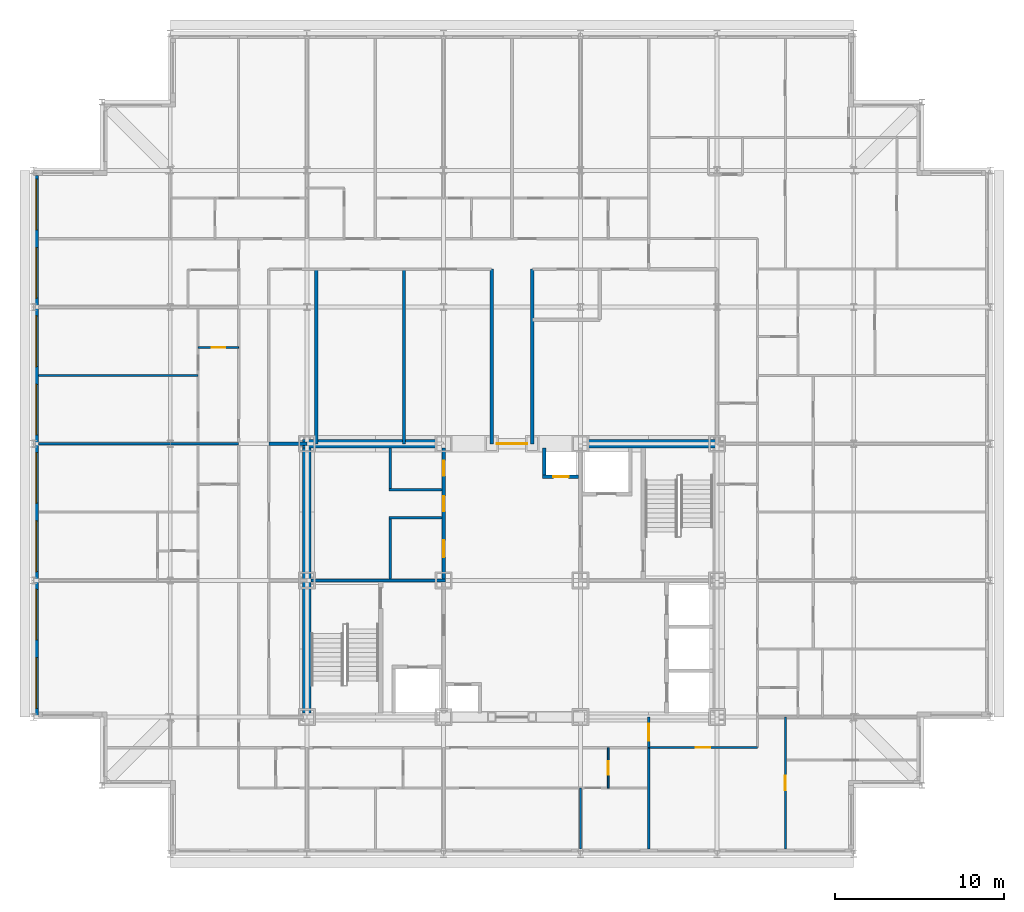
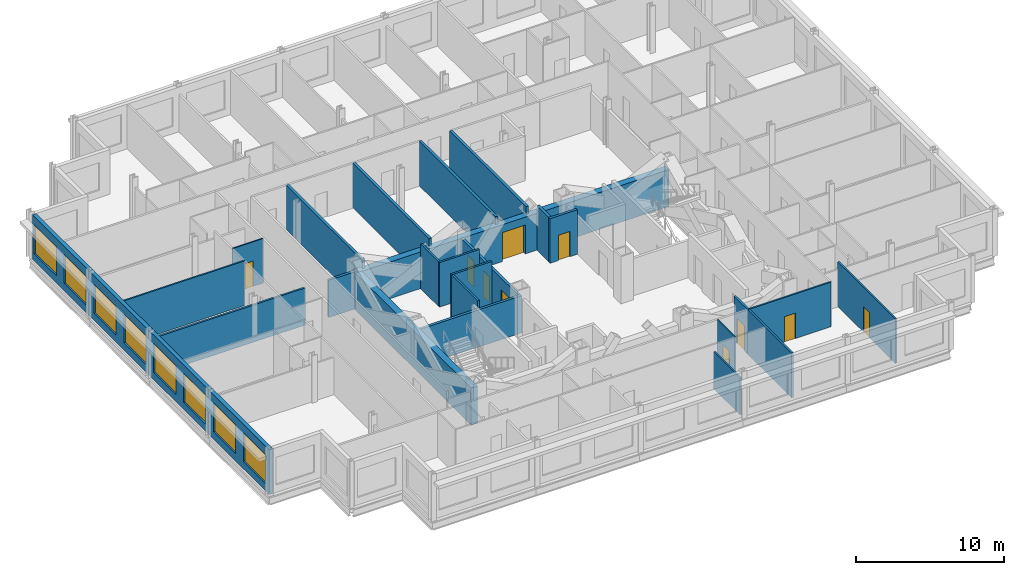
# One storey, part 9 of 15: 25 walls, 10 doors, 8 windows, 18 openings.
"""IFC4 building model written with IfcOpenShell, lengths in metres."""

from ifc_helpers import new_model, si_unit, direction, frame, frame_2d, origin, place, context, subcontext, project, spatial, rectangle, extrude, material, layer, layer_set, type_object, element, fill, save


model = new_model("IFC4")

# Units and contexts
model_context = context("Model", 3, precision=1e-05, world=origin(), true_north=direction((0.0, 1.0)))
body_context = subcontext(model_context, "Body", "Model", "MODEL_VIEW")
ifc_project = project(units=[si_unit("LENGTHUNIT", "METRE"), si_unit("AREAUNIT", "SQUARE_METRE"), si_unit("VOLUMEUNIT", "CUBIC_METRE"), si_unit("PLANEANGLEUNIT", "RADIAN"), si_unit("MASSUNIT", "GRAM", prefix="KILO")], contexts=[model_context])

# Site, building, storey
site_placement = place(None, origin())
site = spatial("IfcSite", under=ifc_project, at=site_placement, CompositionType="ELEMENT")
building_placement = place(site_placement, origin())
building = spatial("IfcBuilding", under=site, at=building_placement, Name="Kopane Lantern Tower", CompositionType="ELEMENT")
storey_placement = place(building_placement, frame((0.0, 0.0, 269.699951171875)))
storey = spatial("IfcBuildingStorey", under=building, at=storey_placement, Name="L69", CompositionType="ELEMENT", Elevation=269.699951171875)

# Walls
ifc_material_1 = material(Name="Gypsum board on steel studs", Category="steel")
ifc_layer_1 = layer(ifc_material_1, 0.1201171875)
ifc_layer_set_1 = layer_set([ifc_layer_1], Name="APARTMENT INTERNAL WALL 120")
wall_type_1 = type_object("IfcWallType", Name="APARTMENT INTERNAL WALL 120", PredefinedType="PARTITIONING", material=ifc_layer_set_1)
wall_1_placement = place(storey_placement, frame((32.39990234375, 20.10009765625, 0.0), z_axis=(0.0, 0.0, 1.0), x_axis=(0.0, -1.0, 0.0)))
element("IfcWall", 1, at=wall_1_placement, inside=storey, type_object=wall_type_1, Name="Apartment Internal Wall 120 L69", PredefinedType="PARTITIONING", context=body_context, shape_type="SweptSolid", body=[
    extrude(rectangle(XDim=3.60009765625, YDim=0.1201171875, at=frame_2d((1.800048828125, 0.0))), origin(), (0.0, 0.0, 1.0), 3.077880859375),
])
wall_2_placement = place(storey_placement, frame((9.75, 44.550048828125, 0.0), z_axis=(0.0, 0.0, 1.0), x_axis=(-1.0, 0.0, 0.0)))
element("IfcWall", 2, at=wall_2_placement, inside=storey, type_object=wall_type_1, Name="Apartment Internal Wall 120 L69", PredefinedType="PARTITIONING", context=body_context, shape_type="SweptSolid", body=[
    extrude(rectangle(XDim=9.449951171875, YDim=0.1201171875, at=frame_2d((4.72509765625, 0.0))), origin(), (0.0, 0.0, 1.0), 3.68994140625),
])

# Wall, opening, door
wall_3_placement = place(storey_placement, frame((36.449951171875, 22.5, 0.0), z_axis=(0.0, 0.0, 1.0), x_axis=(1.0, 0.0, 0.0)))
wall_3 = element("IfcWall", 3, at=wall_3_placement, inside=storey, type_object=wall_type_1, Name="Apartment Internal Wall 120 L69", PredefinedType="PARTITIONING", context=body_context, shape_type="SweptSolid", body=[
    extrude(rectangle(XDim=6.449951171875, YDim=0.1201171875, at=frame_2d((3.22509765625, 0.0))), origin(), (0.0, 0.0, 1.0), 3.68994140625),
])
opening_1_placement = place(wall_3_placement, frame((2.800048828125, 0.0, 0.0)))
opening_1 = element("IfcOpeningElement", 4, at=opening_1_placement, cuts=wall_3, Name="Opening L69-047", PredefinedType="OPENING", context=body_context, shape_type="SweptSolid", body=[
    extrude(rectangle(XDim=0.85009765625, YDim=2.10009765625, at=frame_2d((0.425048828125, 1.050048828125))), frame((0.0, 0.070068359375, 0.0), z_axis=(0.0, -1.0, 0.0), x_axis=(1.0, 0.0, 0.0)), (0.0, 0.0, 1.0), 0.14013671875),
])
ifc_material_2 = material(Name="Timber door set", Category="wood")
door_type_1 = type_object("IfcDoorType", Name="DOOR D4 850x2100", OperationType="SINGLE_SWING_LEFT", PredefinedType="DOOR", material=ifc_material_2)
door_1_placement = place(opening_1_placement, origin())
door_1 = element("IfcDoor", 5, at=door_1_placement, inside=storey, type_object=door_type_1, Name="Door L69-047", OperationType="SINGLE_SWING_RIGHT", OverallHeight=2.10009765625, OverallWidth=0.85009765625, PredefinedType="DOOR", context=body_context, shape_type="SweptSolid", body=[
    extrude(rectangle(XDim=0.85009765625, YDim=2.10009765625, at=frame_2d((0.425048828125, 1.050048828125))), frame((0.0, 0.02490234375, 0.0), z_axis=(0.0, -1.0, 0.0), x_axis=(1.0, 0.0, 0.0)), (0.0, 0.0, 1.0), 0.050048828125),
])
fill(opening_1, door_1)

wall_4_placement = place(storey_placement, frame((44.550048828125, 16.5, 0.0), z_axis=(0.0, 0.0, 1.0), x_axis=(0.0, 1.0, 0.0)))
wall_4 = element("IfcWall", 6, at=wall_4_placement, inside=storey, type_object=wall_type_1, Name="Apartment Internal Wall 120 L69", PredefinedType="PARTITIONING", context=body_context, shape_type="SweptSolid", body=[
    extrude(rectangle(XDim=7.800048828125, YDim=0.1201171875, at=frame_2d((3.89990234375, 0.0))), origin(), (0.0, 0.0, 1.0), 3.68994140625),
])
opening_2_placement = place(wall_4_placement, frame((3.47509765625, 0.0, 0.0)))
opening_2 = element("IfcOpeningElement", 7, at=opening_2_placement, cuts=wall_4, Name="Opening L69-048", PredefinedType="OPENING", context=body_context, shape_type="SweptSolid", body=[
    extrude(rectangle(XDim=0.85009765625, YDim=2.10009765625, at=frame_2d((0.425048828125, 1.050048828125))), frame((0.0, 0.070068359375, 0.0), z_axis=(0.0, -1.0, 0.0), x_axis=(1.0, 0.0, 0.0)), (0.0, 0.0, 1.0), 0.14013671875),
])
door_2_placement = place(opening_2_placement, origin())
door_2 = element("IfcDoor", 8, at=door_2_placement, inside=storey, type_object=door_type_1, Name="Door L69-048", OperationType="SINGLE_SWING_LEFT", OverallHeight=2.10009765625, OverallWidth=0.85009765625, PredefinedType="DOOR", context=body_context, shape_type="SweptSolid", body=[
    extrude(rectangle(XDim=0.85009765625, YDim=2.10009765625, at=frame_2d((0.425048828125, 1.050048828125))), frame((0.0, 0.02490234375, 0.0), z_axis=(0.0, -1.0, 0.0), x_axis=(1.0, 0.0, 0.0)), (0.0, 0.0, 1.0), 0.050048828125),
])
fill(opening_2, door_2)

ifc_material_3 = material(Name="Moisture-resistant board on steel studs", Category="steel")
ifc_layer_2 = layer(ifc_material_3, 0.10009765625)
ifc_layer_set_2 = layer_set([ifc_layer_2], Name="BATHROOM WALL 100")
wall_type_2 = type_object("IfcWallType", Name="BATHROOM WALL 100", PredefinedType="PARTITIONING", material=ifc_layer_set_2)
wall_5_placement = place(storey_placement, frame((34.050048828125, 22.5, 0.0), z_axis=(0.0, 0.0, 1.0), x_axis=(0.0, -1.0, 0.0)))
wall_5 = element("IfcWall", 9, at=wall_5_placement, inside=storey, type_object=wall_type_2, Name="Bathroom Wall 100 L69", PredefinedType="PARTITIONING", context=body_context, shape_type="SweptSolid", body=[
    extrude(rectangle(XDim=2.39990234375, YDim=0.10009765625, at=frame_2d((1.199951171875, 0.0))), origin(), (0.0, 0.0, 1.0), 3.68994140625),
])
opening_3_placement = place(wall_5_placement, frame((0.800048828125, 0.0, 0.0)))
opening_3 = element("IfcOpeningElement", 10, at=opening_3_placement, cuts=wall_5, Name="Opening L69-012", PredefinedType="OPENING", context=body_context, shape_type="SweptSolid", body=[
    extrude(rectangle(XDim=0.800048828125, YDim=2.10009765625, at=frame_2d((0.39990234375, 1.050048828125))), frame((0.0, 0.06005859375, 0.0), z_axis=(0.0, -1.0, 0.0), x_axis=(1.0, 0.0, 0.0)), (0.0, 0.0, 1.0), 0.1201171875),
])
ifc_material_4 = material(Name="Timber door set", Category="wood")
door_type_2 = type_object("IfcDoorType", Name="DOOR D2 800x2100", OperationType="SINGLE_SWING_LEFT", PredefinedType="DOOR", material=ifc_material_4)
door_3_placement = place(opening_3_placement, origin())
door_3 = element("IfcDoor", 11, at=door_3_placement, inside=storey, type_object=door_type_2, Name="Door L69-012", OperationType="SINGLE_SWING_LEFT", OverallHeight=2.10009765625, OverallWidth=0.800048828125, PredefinedType="DOOR", context=body_context, shape_type="SweptSolid", body=[
    extrude(rectangle(XDim=0.800048828125, YDim=2.10009765625, at=frame_2d((0.39990234375, 1.050048828125))), frame((0.0, 0.02490234375, 0.0), z_axis=(0.0, -1.0, 0.0), x_axis=(1.0, 0.0, 0.0)), (0.0, 0.0, 1.0), 0.050048828125),
])
fill(opening_3, door_3)

wall_6_placement = place(storey_placement, frame((12.14990234375, 46.199951171875, 0.0), z_axis=(0.0, 0.0, 1.0), x_axis=(-1.0, 0.0, 0.0)))
wall_6 = element("IfcWall", 12, at=wall_6_placement, inside=storey, type_object=wall_type_2, Name="Bathroom Wall 100 L69", PredefinedType="PARTITIONING", context=body_context, shape_type="SweptSolid", body=[
    extrude(rectangle(XDim=2.39990234375, YDim=0.10009765625, at=frame_2d((1.199951171875, 0.0))), origin(), (0.0, 0.0, 1.0), 3.68994140625),
])
opening_4_placement = place(wall_6_placement, frame((0.800048828125, 0.0, 0.0)))
opening_4 = element("IfcOpeningElement", 13, at=opening_4_placement, cuts=wall_6, Name="Opening L69-032", PredefinedType="OPENING", context=body_context, shape_type="SweptSolid", body=[
    extrude(rectangle(XDim=0.800048828125, YDim=2.10009765625, at=frame_2d((0.39990234375, 1.050048828125))), frame((0.0, 0.06005859375, 0.0), z_axis=(0.0, -1.0, 0.0), x_axis=(1.0, 0.0, 0.0)), (0.0, 0.0, 1.0), 0.1201171875),
])
door_4_placement = place(opening_4_placement, origin())
door_4 = element("IfcDoor", 14, at=door_4_placement, inside=storey, type_object=door_type_2, Name="Door L69-032", OperationType="SINGLE_SWING_RIGHT", OverallHeight=2.10009765625, OverallWidth=0.800048828125, PredefinedType="DOOR", context=body_context, shape_type="SweptSolid", body=[
    extrude(rectangle(XDim=0.800048828125, YDim=2.10009765625, at=frame_2d((0.39990234375, 1.050048828125))), frame((0.0, 0.02490234375, 0.0), z_axis=(0.0, -1.0, 0.0), x_axis=(1.0, 0.0, 0.0)), (0.0, 0.0, 1.0), 0.050048828125),
])
fill(opening_4, door_4)

ifc_material_5 = material(Name="Gypsum shaft wall EI 120", Category="gypsum")
ifc_layer_3 = layer(ifc_material_5, 0.5)
ifc_layer_set_3 = layer_set([ifc_layer_3], Name="CORE PERIMETER WALL 500 EI 120")
wall_type_3 = type_object("IfcWallType", Name="CORE PERIMETER WALL 500 EI 120", PredefinedType="SOLIDWALL", material=ifc_layer_set_3)
wall_7_placement = place(storey_placement, frame((15.949951171875, 40.5, 0.0), z_axis=(0.0, 0.0, 1.0), x_axis=(1.0, 0.0, 0.0)))
wall_7 = element("IfcWall", 15, at=wall_7_placement, inside=storey, type_object=wall_type_3, Name="Core shaft wall L69 PN", PredefinedType="SOLIDWALL", context=body_context, shape_type="SweptSolid", body=[
    extrude(rectangle(XDim=24.550048828125, YDim=0.5, at=frame_2d((12.27490234375, 0.0))), origin(), (0.0, 0.0, 1.0), 3.0400390625),
])
opening_5_placement = place(wall_7_placement, frame((11.5, 0.0, 0.0)))
opening_5 = element("IfcOpeningElement", 16, at=opening_5_placement, cuts=wall_7, Name="Opening 69.CE-N", PredefinedType="OPENING", context=body_context, shape_type="SweptSolid", body=[
    extrude(rectangle(XDim=1.800048828125, YDim=2.39990234375, at=frame_2d((0.89990234375, 1.199951171875))), frame((0.0, 0.260009765625, 0.0), z_axis=(0.0, -1.0, 0.0), x_axis=(1.0, 0.0, 0.0)), (0.0, 0.0, 1.0), 0.52001953125),
])
ifc_material_6 = material(Name="Steel door set", Category="steel")
door_type_3 = type_object("IfcDoorType", Name="CORE ENTRY DOOR 1800x2400 FD60S", OperationType="DOUBLE_DOOR_SINGLE_SWING", PredefinedType="DOOR", material=ifc_material_6)
door_5_placement = place(opening_5_placement, origin())
door_5 = element("IfcDoor", 17, at=door_5_placement, inside=storey, type_object=door_type_3, Name="Core entry door L69 north", OperationType="DOUBLE_DOOR_SINGLE_SWING", OverallHeight=2.39990234375, OverallWidth=1.800048828125, PredefinedType="DOOR", context=body_context, shape_type="SweptSolid", body=[
    extrude(rectangle(XDim=1.800048828125, YDim=2.39990234375, at=frame_2d((0.89990234375, 1.199951171875))), frame((0.0, 0.02490234375, 0.0), z_axis=(0.0, -1.0, 0.0), x_axis=(1.0, 0.0, 0.0)), (0.0, 0.0, 1.0), 0.050048828125),
])
fill(opening_5, door_5)

# Walls
wall_8_placement = place(storey_placement, frame((16.199951171875, 24.550048828125, 0.0), z_axis=(0.0, 0.0, 1.0), x_axis=(0.0, 1.0, 0.0)))
element("IfcWall", 18, at=wall_8_placement, inside=storey, type_object=wall_type_3, Name="Core shaft wall L69 PW", PredefinedType="SOLIDWALL", context=body_context, shape_type="SweptSolid", body=[
    extrude(rectangle(XDim=15.699951171875, YDim=0.5, at=frame_2d((7.85009765625, 0.0))), origin(), (0.0, 0.0, 1.0), 3.077880859375),
])
ifc_material_7 = material(Name="Gypsum partition EI 60", Category="gypsum")
ifc_layer_4 = layer(ifc_material_7, 0.14990234375)
ifc_layer_set_4 = layer_set([ifc_layer_4], Name="CORE ROOM PARTITION 150 EI 60")
wall_type_4 = type_object("IfcWallType", Name="CORE ROOM PARTITION 150 EI 60", PredefinedType="PARTITIONING", material=ifc_layer_set_4)
for number, where, z_axis, x_axis, name in (
    (19, (21.050048828125, 36.125, 0.0), (0.0, 0.0, 1.0), (1.0, 0.0, 0.0), "Core room partition L69 WW1"),
    (20, (21.050048828125, 37.77490234375, 0.0), (0.0, 0.0, 1.0), (1.0, 0.0, 0.0), "Core room partition L69 WW2"),
):
    element("IfcWall", number, at=place(storey_placement, frame(where, z_axis=z_axis, x_axis=x_axis)), inside=storey, type_object=wall_type_4, Name=name, PredefinedType="PARTITIONING", context=body_context, shape_type="SweptSolid", body=[
        extrude(rectangle(XDim=3.14990234375, YDim=0.14990234375, at=frame_2d((1.574951171875, 0.0))), origin(), (0.0, 0.0, 1.0), 3.68994140625),
    ])
wall_9_placement = place(storey_placement, frame((21.125, 32.5, 0.0), z_axis=(0.0, 0.0, 1.0), x_axis=(0.0, 1.0, 0.0)))
element("IfcWall", 21, at=wall_9_placement, inside=storey, type_object=wall_type_4, Name="Core room partition L69 WWB0", PredefinedType="PARTITIONING", context=body_context, shape_type="SweptSolid", body=[
    extrude(rectangle(XDim=3.550048828125, YDim=0.14990234375, at=frame_2d((1.77490234375, 0.0))), origin(), (0.0, 0.0, 1.0), 3.68994140625),
])
wall_10_placement = place(storey_placement, frame((21.125, 37.85009765625, 0.0), z_axis=(0.0, 0.0, 1.0), x_axis=(0.0, 1.0, 0.0)))
element("IfcWall", 22, at=wall_10_placement, inside=storey, type_object=wall_type_4, Name="Core room partition L69 WWB1", PredefinedType="PARTITIONING", context=body_context, shape_type="SweptSolid", body=[
    extrude(rectangle(XDim=2.39990234375, YDim=0.14990234375, at=frame_2d((1.199951171875, 0.0))), origin(), (0.0, 0.0, 1.0), 3.68994140625),
])

# Wall, openings, doors
ifc_material_8 = material(Name="Gypsum partition EI 60", Category="gypsum")
ifc_layer_5 = layer(ifc_material_8, 0.199951171875)
ifc_layer_set_5 = layer_set([ifc_layer_5], Name="CORE ROOM WALL 200 EI 60")
wall_type_5 = type_object("IfcWallType", Name="CORE ROOM WALL 200 EI 60", PredefinedType="PARTITIONING", material=ifc_layer_set_5)
wall_11_placement = place(storey_placement, frame((24.300048828125, 32.5, 0.0), z_axis=(0.0, 0.0, 1.0), x_axis=(0.0, 1.0, 0.0)))
wall_11 = element("IfcWall", 23, at=wall_11_placement, inside=storey, type_object=wall_type_5, Name="Core room wall L69 XW", PredefinedType="PARTITIONING", context=body_context, shape_type="SweptSolid", body=[
    extrude(rectangle(XDim=7.75, YDim=0.199951171875, at=frame_2d((3.875, 0.0))), origin(), (0.0, 0.0, 1.0), 3.077880859375),
])
opening_6_placement = place(wall_11_placement, frame((1.27490234375, 0.0, 0.0)))
opening_6 = element("IfcOpeningElement", 24, at=opening_6_placement, cuts=wall_11, Name="Opening 69.C30", PredefinedType="OPENING", context=body_context, shape_type="SweptSolid", body=[
    extrude(rectangle(XDim=1.0, YDim=2.10009765625, at=frame_2d((0.5, 1.050048828125))), frame((0.0, 0.10986328125, 0.0), z_axis=(0.0, -1.0, 0.0), x_axis=(1.0, 0.0, 0.0)), (0.0, 0.0, 1.0), 0.219970703125),
])
opening_7_placement = place(wall_11_placement, frame((4.0, 0.0, 0.0)))
opening_7 = element("IfcOpeningElement", 25, at=opening_7_placement, cuts=wall_11, Name="Opening 69.C31", PredefinedType="OPENING", context=body_context, shape_type="SweptSolid", body=[
    extrude(rectangle(XDim=0.89990234375, YDim=2.10009765625, at=frame_2d((0.449951171875, 1.050048828125))), frame((0.0, 0.10986328125, 0.0), z_axis=(0.0, -1.0, 0.0), x_axis=(1.0, 0.0, 0.0)), (0.0, 0.0, 1.0), 0.219970703125),
])
opening_8_placement = place(wall_11_placement, frame((6.10009765625, 0.0, 0.0)))
opening_8 = element("IfcOpeningElement", 26, at=opening_8_placement, cuts=wall_11, Name="Opening 69.C32", PredefinedType="OPENING", context=body_context, shape_type="SweptSolid", body=[
    extrude(rectangle(XDim=0.89990234375, YDim=2.10009765625, at=frame_2d((0.449951171875, 1.050048828125))), frame((0.0, 0.10986328125, 0.0), z_axis=(0.0, -1.0, 0.0), x_axis=(1.0, 0.0, 0.0)), (0.0, 0.0, 1.0), 0.219970703125),
])
ifc_material_9 = material(Name="Steel door set", Category="steel")
door_type_4 = type_object("IfcDoorType", Name="CORE ROOM DOOR 1000x2100 FD30S", OperationType="SINGLE_SWING_RIGHT", PredefinedType="DOOR", material=ifc_material_9)
door_6_placement = place(opening_6_placement, origin())
door_6 = element("IfcDoor", 27, at=door_6_placement, inside=storey, type_object=door_type_4, Name="Door Parcel room L69", OperationType="SINGLE_SWING_LEFT", OverallHeight=2.10009765625, OverallWidth=1.0, PredefinedType="DOOR", context=body_context, shape_type="SweptSolid", body=[
    extrude(rectangle(XDim=1.0, YDim=2.10009765625, at=frame_2d((0.5, 1.050048828125))), frame((0.0, 0.02490234375, 0.0), z_axis=(0.0, -1.0, 0.0), x_axis=(1.0, 0.0, 0.0)), (0.0, 0.0, 1.0), 0.050048828125),
])
fill(opening_6, door_6)
ifc_material_10 = material(Name="Steel door set", Category="steel")
door_type_5 = type_object("IfcDoorType", Name="CORE ROOM DOOR 900x2100 FD60", OperationType="SINGLE_SWING_LEFT", PredefinedType="DOOR", material=ifc_material_10)
door_7_placement = place(opening_7_placement, origin())
door_7 = element("IfcDoor", 28, at=door_7_placement, inside=storey, type_object=door_type_5, Name="Door Residents storage L69", OperationType="SINGLE_SWING_RIGHT", OverallHeight=2.10009765625, OverallWidth=0.89990234375, PredefinedType="DOOR", context=body_context, shape_type="SweptSolid", body=[
    extrude(rectangle(XDim=0.89990234375, YDim=2.10009765625, at=frame_2d((0.449951171875, 1.050048828125))), frame((0.0, 0.02490234375, 0.0), z_axis=(0.0, -1.0, 0.0), x_axis=(1.0, 0.0, 0.0)), (0.0, 0.0, 1.0), 0.050048828125),
])
fill(opening_7, door_7)
door_8_placement = place(opening_8_placement, origin())
door_8 = element("IfcDoor", 29, at=door_8_placement, inside=storey, type_object=door_type_5, Name="Door IT room L69", OperationType="SINGLE_SWING_LEFT", OverallHeight=2.10009765625, OverallWidth=0.89990234375, PredefinedType="DOOR", context=body_context, shape_type="SweptSolid", body=[
    extrude(rectangle(XDim=0.89990234375, YDim=2.10009765625, at=frame_2d((0.449951171875, 1.050048828125))), frame((0.0, 0.02490234375, 0.0), z_axis=(0.0, -1.0, 0.0), x_axis=(1.0, 0.0, 0.0)), (0.0, 0.0, 1.0), 0.050048828125),
])
fill(opening_8, door_8)

# Wall, opening, door
ifc_material_11 = material(Name="Gypsum board on steel studs", Category="steel")
ifc_layer_6 = layer(ifc_material_11, 0.14990234375)
ifc_layer_set_6 = layer_set([ifc_layer_6], Name="CORRIDOR WALL 150 EI 60")
wall_type_6 = type_object("IfcWallType", Name="CORRIDOR WALL 150 EI 60", PredefinedType="PARTITIONING", material=ifc_layer_set_6)
wall_12_placement = place(storey_placement, frame((36.449951171875, 22.5, 0.0), z_axis=(0.0, 0.0, 1.0), x_axis=(0.0, 1.0, 0.0)))
wall_12 = element("IfcWall", 30, at=wall_12_placement, inside=storey, type_object=wall_type_6, Name="Corridor Wall 150 Ei 60 L69", PredefinedType="PARTITIONING", context=body_context, shape_type="SweptSolid", body=[
    extrude(rectangle(XDim=1.800048828125, YDim=0.14990234375, at=frame_2d((0.89990234375, 0.0))), origin(), (0.0, 0.0, 1.0), 3.68994140625),
])
opening_9_placement = place(wall_12_placement, frame((0.39990234375, 0.0, 0.0)))
opening_9 = element("IfcOpeningElement", 31, at=opening_9_placement, cuts=wall_12, Name="Opening L69-045", PredefinedType="OPENING", context=body_context, shape_type="SweptSolid", body=[
    extrude(rectangle(XDim=1.0, YDim=2.10009765625, at=frame_2d((0.5, 1.050048828125))), frame((0.0, 0.0849609375, 0.0), z_axis=(0.0, -1.0, 0.0), x_axis=(1.0, 0.0, 0.0)), (0.0, 0.0, 1.0), 0.169921875),
])
ifc_material_12 = material(Name="Steel door set", Category="steel")
door_type_6 = type_object("IfcDoorType", Name="DOOR D3 1000x2100 FD30S", OperationType="SINGLE_SWING_LEFT", PredefinedType="DOOR", material=ifc_material_12)
door_9_placement = place(opening_9_placement, origin())
door_9 = element("IfcDoor", 32, at=door_9_placement, inside=storey, type_object=door_type_6, Name="Door L69-045", OperationType="SINGLE_SWING_RIGHT", OverallHeight=2.10009765625, OverallWidth=1.0, PredefinedType="DOOR", context=body_context, shape_type="SweptSolid", body=[
    extrude(rectangle(XDim=1.0, YDim=2.10009765625, at=frame_2d((0.5, 1.050048828125))), frame((0.0, 0.02490234375, 0.0), z_axis=(0.0, -1.0, 0.0), x_axis=(1.0, 0.0, 0.0)), (0.0, 0.0, 1.0), 0.050048828125),
])
fill(opening_9, door_9)

# Walls
ifc_material_13 = material(Name="Gypsum board on steel studs", Category="steel")
ifc_layer_7 = layer(ifc_material_13, 0.14990234375)
ifc_layer_set_7 = layer_set([ifc_layer_7], Name="DEMISING WALL 150 EI 60")
wall_type_7 = type_object("IfcWallType", Name="DEMISING WALL 150 EI 60", PredefinedType="PARTITIONING", material=ifc_layer_set_7)
wall_13_placement = place(storey_placement, frame((12.14990234375, 40.5, 0.0), z_axis=(0.0, 0.0, 1.0), x_axis=(-1.0, 0.0, 0.0)))
element("IfcWall", 33, at=wall_13_placement, inside=storey, type_object=wall_type_7, Name="Demising Wall 150 Ei 60 L69", PredefinedType="PARTITIONING", context=body_context, shape_type="SweptSolid", body=[
    extrude(rectangle(XDim=11.849853515625, YDim=0.14990234375, at=frame_2d((5.9248046875, 0.0))), origin(), (0.0, 0.0, 1.0), 3.077880859375),
])
wall_14_placement = place(storey_placement, frame((36.449951171875, 16.5, 0.0), z_axis=(0.0, 0.0, 1.0), x_axis=(0.0, 1.0, 0.0)))
element("IfcWall", 34, at=wall_14_placement, inside=storey, type_object=wall_type_7, Name="Demising Wall 150 Ei 60 L69", PredefinedType="PARTITIONING", context=body_context, shape_type="SweptSolid", body=[
    extrude(rectangle(XDim=6.0, YDim=0.14990234375, at=frame_2d((3.0, 0.0))), origin(), (0.0, 0.0, 1.0), 3.68994140625),
])

# Wall, openings, windows
ifc_material_14 = material(Name="Terracotta rainscreen on light steel framing", Category="masonry")
ifc_layer_8 = layer(ifc_material_14, 0.300048828125)
ifc_layer_set_8 = layer_set([ifc_layer_8], Name="EXTERNAL WALL EW1 300 TERRACOTTA")
wall_type_8 = type_object("IfcWallType", Name="EXTERNAL WALL EW1 300 TERRACOTTA", PredefinedType="SOLIDWALL", material=ifc_layer_set_8)
wall_15_placement = place(storey_placement, frame((0.14990234375, 56.39990234375, 0.0), z_axis=(0.0, 0.0, 1.0), x_axis=(0.0, -1.0, 0.0)))
wall_15 = element("IfcWall", 35, at=wall_15_placement, inside=storey, type_object=wall_type_8, Name="External wall W L69", PredefinedType="SOLIDWALL", context=body_context, shape_type="SweptSolid", body=[
    extrude(rectangle(XDim=32.099853515625, YDim=0.300048828125, at=frame_2d((16.0498046875, 0.0))), origin(), (0.0, 0.0, 1.0), 3.68994140625),
])
opening_10_placement = place(wall_15_placement, frame((0.22509765625, 0.0, 0.60009765625)))
opening_10 = element("IfcOpeningElement", 36, at=opening_10_placement, cuts=wall_15, Name="Opening WR300240", PredefinedType="OPENING", context=body_context, shape_type="SweptSolid", body=[
    extrude(rectangle(XDim=3.0, YDim=2.39990234375, at=frame_2d((1.5, 1.199951171875))), frame((0.0, 0.159912109375, 0.0), z_axis=(0.0, -1.0, 0.0), x_axis=(1.0, 0.0, 0.0)), (0.0, 0.0, 1.0), 0.320068359375),
])
opening_11_placement = place(wall_15_placement, frame((4.27490234375, 0.0, 0.60009765625)))
opening_11 = element("IfcOpeningElement", 37, at=opening_11_placement, cuts=wall_15, Name="Opening WR300240", PredefinedType="OPENING", context=body_context, shape_type="SweptSolid", body=[
    extrude(rectangle(XDim=3.0, YDim=2.39990234375, at=frame_2d((1.5, 1.199951171875))), frame((0.0, 0.159912109375, 0.0), z_axis=(0.0, -1.0, 0.0), x_axis=(1.0, 0.0, 0.0)), (0.0, 0.0, 1.0), 0.320068359375),
])
opening_12_placement = place(wall_15_placement, frame((8.324951171875, 0.0, 0.60009765625)))
opening_12 = element("IfcOpeningElement", 38, at=opening_12_placement, cuts=wall_15, Name="Opening WR300240", PredefinedType="OPENING", context=body_context, shape_type="SweptSolid", body=[
    extrude(rectangle(XDim=3.0, YDim=2.39990234375, at=frame_2d((1.5, 1.199951171875))), frame((0.0, 0.159912109375, 0.0), z_axis=(0.0, -1.0, 0.0), x_axis=(1.0, 0.0, 0.0)), (0.0, 0.0, 1.0), 0.320068359375),
])
opening_13_placement = place(wall_15_placement, frame((12.375, 0.0, 0.60009765625)))
opening_13 = element("IfcOpeningElement", 39, at=opening_13_placement, cuts=wall_15, Name="Opening WR300240", PredefinedType="OPENING", context=body_context, shape_type="SweptSolid", body=[
    extrude(rectangle(XDim=3.0, YDim=2.39990234375, at=frame_2d((1.5, 1.199951171875))), frame((0.0, 0.159912109375, 0.0), z_axis=(0.0, -1.0, 0.0), x_axis=(1.0, 0.0, 0.0)), (0.0, 0.0, 1.0), 0.320068359375),
])
opening_14_placement = place(wall_15_placement, frame((16.425048828125, 0.0, 0.60009765625)))
opening_14 = element("IfcOpeningElement", 40, at=opening_14_placement, cuts=wall_15, Name="Opening WR300240", PredefinedType="OPENING", context=body_context, shape_type="SweptSolid", body=[
    extrude(rectangle(XDim=3.0, YDim=2.39990234375, at=frame_2d((1.5, 1.199951171875))), frame((0.0, 0.159912109375, 0.0), z_axis=(0.0, -1.0, 0.0), x_axis=(1.0, 0.0, 0.0)), (0.0, 0.0, 1.0), 0.320068359375),
])
opening_15_placement = place(wall_15_placement, frame((20.47509765625, 0.0, 0.60009765625)))
opening_15 = element("IfcOpeningElement", 41, at=opening_15_placement, cuts=wall_15, Name="Opening WR300240", PredefinedType="OPENING", context=body_context, shape_type="SweptSolid", body=[
    extrude(rectangle(XDim=3.0, YDim=2.39990234375, at=frame_2d((1.5, 1.199951171875))), frame((0.0, 0.159912109375, 0.0), z_axis=(0.0, -1.0, 0.0), x_axis=(1.0, 0.0, 0.0)), (0.0, 0.0, 1.0), 0.320068359375),
])
opening_16_placement = place(wall_15_placement, frame((24.52490234375, 0.0, 0.60009765625)))
opening_16 = element("IfcOpeningElement", 42, at=opening_16_placement, cuts=wall_15, Name="Opening WR300240", PredefinedType="OPENING", context=body_context, shape_type="SweptSolid", body=[
    extrude(rectangle(XDim=3.0, YDim=2.39990234375, at=frame_2d((1.5, 1.199951171875))), frame((0.0, 0.159912109375, 0.0), z_axis=(0.0, -1.0, 0.0), x_axis=(1.0, 0.0, 0.0)), (0.0, 0.0, 1.0), 0.320068359375),
])
opening_17_placement = place(wall_15_placement, frame((28.574951171875, 0.0, 0.60009765625)))
opening_17 = element("IfcOpeningElement", 43, at=opening_17_placement, cuts=wall_15, Name="Opening WR300240", PredefinedType="OPENING", context=body_context, shape_type="SweptSolid", body=[
    extrude(rectangle(XDim=3.0, YDim=2.39990234375, at=frame_2d((1.5, 1.199951171875))), frame((0.0, 0.159912109375, 0.0), z_axis=(0.0, -1.0, 0.0), x_axis=(1.0, 0.0, 0.0)), (0.0, 0.0, 1.0), 0.320068359375),
])
ifc_material_15 = material(Name="Aluminium and clear glass", Category="aluminium")
window_type = type_object("IfcWindowType", Name="RIBBON WINDOW WR300240 3000x2400", PartitioningType="SINGLE_PANEL", PredefinedType="WINDOW", material=ifc_material_15)
window_1_placement = place(opening_10_placement, origin())
window_1 = element("IfcWindow", 44, at=window_1_placement, inside=storey, type_object=window_type, Name="Window W L69", OverallHeight=2.39990234375, OverallWidth=3.0, PartitioningType="SINGLE_PANEL", PredefinedType="WINDOW", context=body_context, shape_type="SweptSolid", body=[
    extrude(rectangle(XDim=3.0, YDim=2.39990234375, at=frame_2d((1.5, 1.199951171875))), frame((0.0, 0.030029296875, 0.0), z_axis=(0.0, -1.0, 0.0), x_axis=(1.0, 0.0, 0.0)), (0.0, 0.0, 1.0), 0.06005859375),
])
fill(opening_10, window_1)
window_2_placement = place(opening_11_placement, origin())
window_2 = element("IfcWindow", 45, at=window_2_placement, inside=storey, type_object=window_type, Name="Window W L69", OverallHeight=2.39990234375, OverallWidth=3.0, PartitioningType="SINGLE_PANEL", PredefinedType="WINDOW", context=body_context, shape_type="SweptSolid", body=[
    extrude(rectangle(XDim=3.0, YDim=2.39990234375, at=frame_2d((1.5, 1.199951171875))), frame((0.0, 0.030029296875, 0.0), z_axis=(0.0, -1.0, 0.0), x_axis=(1.0, 0.0, 0.0)), (0.0, 0.0, 1.0), 0.06005859375),
])
fill(opening_11, window_2)
window_3_placement = place(opening_12_placement, origin())
window_3 = element("IfcWindow", 46, at=window_3_placement, inside=storey, type_object=window_type, Name="Window W L69", OverallHeight=2.39990234375, OverallWidth=3.0, PartitioningType="SINGLE_PANEL", PredefinedType="WINDOW", context=body_context, shape_type="SweptSolid", body=[
    extrude(rectangle(XDim=3.0, YDim=2.39990234375, at=frame_2d((1.5, 1.199951171875))), frame((0.0, 0.030029296875, 0.0), z_axis=(0.0, -1.0, 0.0), x_axis=(1.0, 0.0, 0.0)), (0.0, 0.0, 1.0), 0.06005859375),
])
fill(opening_12, window_3)
window_4_placement = place(opening_13_placement, origin())
window_4 = element("IfcWindow", 47, at=window_4_placement, inside=storey, type_object=window_type, Name="Window W L69", OverallHeight=2.39990234375, OverallWidth=3.0, PartitioningType="SINGLE_PANEL", PredefinedType="WINDOW", context=body_context, shape_type="SweptSolid", body=[
    extrude(rectangle(XDim=3.0, YDim=2.39990234375, at=frame_2d((1.5, 1.199951171875))), frame((0.0, 0.030029296875, 0.0), z_axis=(0.0, -1.0, 0.0), x_axis=(1.0, 0.0, 0.0)), (0.0, 0.0, 1.0), 0.06005859375),
])
fill(opening_13, window_4)
window_5_placement = place(opening_14_placement, origin())
window_5 = element("IfcWindow", 48, at=window_5_placement, inside=storey, type_object=window_type, Name="Window W L69", OverallHeight=2.39990234375, OverallWidth=3.0, PartitioningType="SINGLE_PANEL", PredefinedType="WINDOW", context=body_context, shape_type="SweptSolid", body=[
    extrude(rectangle(XDim=3.0, YDim=2.39990234375, at=frame_2d((1.5, 1.199951171875))), frame((0.0, 0.030029296875, 0.0), z_axis=(0.0, -1.0, 0.0), x_axis=(1.0, 0.0, 0.0)), (0.0, 0.0, 1.0), 0.06005859375),
])
fill(opening_14, window_5)
window_6_placement = place(opening_15_placement, origin())
window_6 = element("IfcWindow", 49, at=window_6_placement, inside=storey, type_object=window_type, Name="Window W L69", OverallHeight=2.39990234375, OverallWidth=3.0, PartitioningType="SINGLE_PANEL", PredefinedType="WINDOW", context=body_context, shape_type="SweptSolid", body=[
    extrude(rectangle(XDim=3.0, YDim=2.39990234375, at=frame_2d((1.5, 1.199951171875))), frame((0.0, 0.030029296875, 0.0), z_axis=(0.0, -1.0, 0.0), x_axis=(1.0, 0.0, 0.0)), (0.0, 0.0, 1.0), 0.06005859375),
])
fill(opening_15, window_6)
window_7_placement = place(opening_16_placement, origin())
window_7 = element("IfcWindow", 50, at=window_7_placement, inside=storey, type_object=window_type, Name="Window W L69", OverallHeight=2.39990234375, OverallWidth=3.0, PartitioningType="SINGLE_PANEL", PredefinedType="WINDOW", context=body_context, shape_type="SweptSolid", body=[
    extrude(rectangle(XDim=3.0, YDim=2.39990234375, at=frame_2d((1.5, 1.199951171875))), frame((0.0, 0.030029296875, 0.0), z_axis=(0.0, -1.0, 0.0), x_axis=(1.0, 0.0, 0.0)), (0.0, 0.0, 1.0), 0.06005859375),
])
fill(opening_16, window_7)
window_8_placement = place(opening_17_placement, origin())
window_8 = element("IfcWindow", 51, at=window_8_placement, inside=storey, type_object=window_type, Name="Window W L69", OverallHeight=2.39990234375, OverallWidth=3.0, PartitioningType="SINGLE_PANEL", PredefinedType="WINDOW", context=body_context, shape_type="SweptSolid", body=[
    extrude(rectangle(XDim=3.0, YDim=2.39990234375, at=frame_2d((1.5, 1.199951171875))), frame((0.0, 0.030029296875, 0.0), z_axis=(0.0, -1.0, 0.0), x_axis=(1.0, 0.0, 0.0)), (0.0, 0.0, 1.0), 0.06005859375),
])
fill(opening_17, window_8)

# Walls
ifc_material_16 = material(Name="Concrete masonry", Category="masonry")
ifc_layer_9 = layer(ifc_material_16, 0.199951171875)
ifc_layer_set_9 = layer_set([ifc_layer_9], Name="PLANT ROOM WALL 200 EI 120")
wall_type_9 = type_object("IfcWallType", Name="PLANT ROOM WALL 200 EI 120", PredefinedType="SOLIDWALL", material=ifc_layer_set_9)
for number, where, z_axis, x_axis, name in (
    (52, (16.751953125, 50.85009765625, 0.0), (0.0, 0.0, 1.0), (0.0, -1.0, 0.0), "Plant Room Wall 200 Ei 120 L69"),
    (53, (21.950927734375, 50.85009765625, 0.0), (0.0, 0.0, 1.0), (0.0, -1.0, 0.0), "Plant Room Wall 200 Ei 120 L69"),
    (54, (27.14990234375, 40.5, 0.0), (0.0, 0.0, 1.0), (0.0, 1.0, 0.0), "Plant Room Wall 200 Ei 120 L69"),
    (55, (29.550048828125, 40.5, 0.0), (0.0, 0.0, 1.0), (0.0, 1.0, 0.0), "Plant Room Wall 200 Ei 120 L69"),
):
    element("IfcWall", number, at=place(storey_placement, frame(where, z_axis=z_axis, x_axis=x_axis)), inside=storey, type_object=wall_type_9, Name=name, PredefinedType="SOLIDWALL", context=body_context, shape_type="SweptSolid", body=[
        extrude(rectangle(XDim=10.35009765625, YDim=0.199951171875, at=frame_2d((5.175048828125, 0.0))), origin(), (0.0, 0.0, 1.0), 3.68994140625),
    ])
wall_16_placement = place(storey_placement, frame((13.949951171875, 40.5, 0.0), z_axis=(0.0, 0.0, 1.0), x_axis=(1.0, 0.0, 0.0)))
element("IfcWall", 56, at=wall_16_placement, inside=storey, type_object=wall_type_9, Name="Plant Room Wall 200 Ei 120 L69", PredefinedType="SOLIDWALL", context=body_context, shape_type="SweptSolid", body=[
    extrude(rectangle(XDim=2.25, YDim=0.199951171875, at=frame_2d((1.125, 0.0))), origin(), (0.0, 0.0, 1.0), 3.077880859375),
])
ifc_material_17 = material(Name="Gypsum shaft wall EI 120", Category="gypsum")
ifc_layer_10 = layer(ifc_material_17, 0.199951171875)
ifc_layer_set_10 = layer_set([ifc_layer_10], Name="SHAFT WALL 200 EI 120")
wall_type_10 = type_object("IfcWallType", Name="SHAFT WALL 200 EI 120", PredefinedType="SOLIDWALL", material=ifc_layer_set_10)
wall_17_placement = place(storey_placement, frame((16.449951171875, 32.39990234375, 0.0), z_axis=(0.0, 0.0, 1.0), x_axis=(1.0, 0.0, 0.0)))
element("IfcWall", 57, at=wall_17_placement, inside=storey, type_object=wall_type_10, Name="Core shaft wall L69 Y324W", PredefinedType="SOLIDWALL", context=body_context, shape_type="SweptSolid", body=[
    extrude(rectangle(XDim=7.949951171875, YDim=0.199951171875, at=frame_2d((3.97509765625, 0.0))), origin(), (0.0, 0.0, 1.0), 3.077880859375),
])
wall_18_placement = place(storey_placement, frame((30.25, 38.64990234375, 0.0), z_axis=(0.0, 0.0, 1.0), x_axis=(0.0, 1.0, 0.0)))
element("IfcWall", 58, at=wall_18_placement, inside=storey, type_object=wall_type_10, Name="Core shaft wall L69 XRS2", PredefinedType="SOLIDWALL", context=body_context, shape_type="SweptSolid", body=[
    extrude(rectangle(XDim=1.60009765625, YDim=0.199951171875, at=frame_2d((0.800048828125, 0.0))), origin(), (0.0, 0.0, 1.0), 3.68994140625),
])

# Wall, opening, door
wall_19_placement = place(storey_placement, frame((30.14990234375, 38.550048828125, 0.0), z_axis=(0.0, 0.0, 1.0), x_axis=(1.0, 0.0, 0.0)))
wall_19 = element("IfcWall", 59, at=wall_19_placement, inside=storey, type_object=wall_type_10, Name="Core shaft wall L69 YRS2", PredefinedType="SOLIDWALL", context=body_context, shape_type="SweptSolid", body=[
    extrude(rectangle(XDim=2.150146484375, YDim=0.199951171875, at=frame_2d((1.0751953125, 0.0))), origin(), (0.0, 0.0, 1.0), 3.68994140625),
])
opening_18_placement = place(wall_19_placement, frame((0.64990234375, 0.0, 0.0)))
opening_18 = element("IfcOpeningElement", 60, at=opening_18_placement, cuts=wall_19, Name="Opening 69.RS2", PredefinedType="OPENING", context=body_context, shape_type="SweptSolid", body=[
    extrude(rectangle(XDim=0.89990234375, YDim=2.10009765625, at=frame_2d((0.449951171875, 1.050048828125))), frame((0.0, 0.10986328125, 0.0), z_axis=(0.0, -1.0, 0.0), x_axis=(1.0, 0.0, 0.0)), (0.0, 0.0, 1.0), 0.219970703125),
])
ifc_material_18 = material(Name="Steel door set", Category="steel")
door_type_7 = type_object("IfcDoorType", Name="RISER ACCESS DOOR 900x2100 FD60", OperationType="SINGLE_SWING_LEFT", PredefinedType="DOOR", material=ifc_material_18)
door_10_placement = place(opening_18_placement, origin())
door_10 = element("IfcDoor", 61, at=door_10_placement, inside=storey, type_object=door_type_7, Name="Riser access door RS2 L69", OperationType="SINGLE_SWING_LEFT", OverallHeight=2.10009765625, OverallWidth=0.89990234375, PredefinedType="DOOR", context=body_context, shape_type="SweptSolid", body=[
    extrude(rectangle(XDim=0.89990234375, YDim=2.10009765625, at=frame_2d((0.449951171875, 1.050048828125))), frame((0.0, 0.02490234375, 0.0), z_axis=(0.0, -1.0, 0.0), x_axis=(1.0, 0.0, 0.0)), (0.0, 0.0, 1.0), 0.050048828125),
])
fill(opening_18, door_10)

save(model, "model.ifc")
